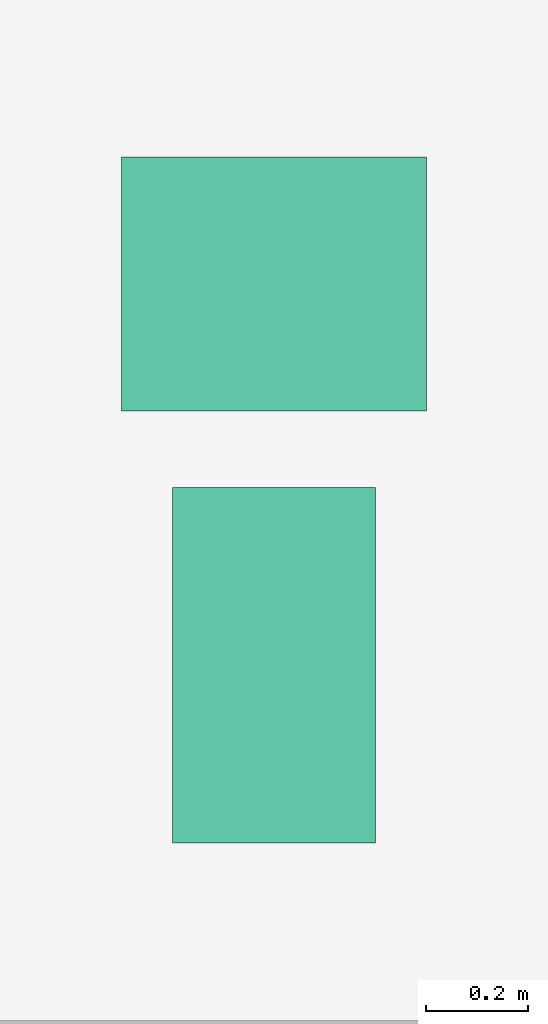
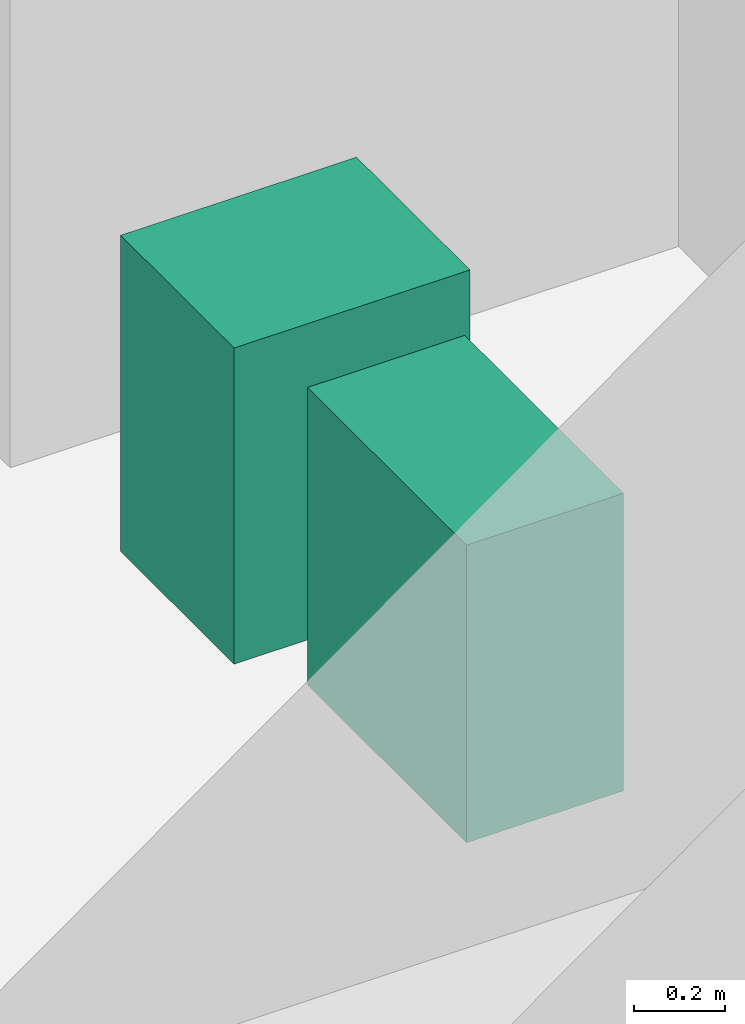
# One storey, part 19 of 19: 2 sanitary terminals.
"""IFC4 building model written with IfcOpenShell, lengths in metres."""

from ifc_helpers import new_model, si_unit, direction, frame, origin, origin_2d, place, context, subcontext, project, spatial, rectangle, extrude, element, save


model = new_model("IFC4")

# Units and contexts
model_context = context("Model", 3, precision=1e-05, world=origin(), true_north=direction((0.0, 1.0)))
body_context = subcontext(model_context, "Body", "Model", "MODEL_VIEW")
ifc_project = project(units=[si_unit("LENGTHUNIT", "METRE"), si_unit("AREAUNIT", "SQUARE_METRE"), si_unit("VOLUMEUNIT", "CUBIC_METRE"), si_unit("PLANEANGLEUNIT", "RADIAN"), si_unit("MASSUNIT", "GRAM", prefix="KILO")], contexts=[model_context])

# Site, building, storey
site_placement = place(None, origin())
site = spatial("IfcSite", under=ifc_project, at=site_placement, CompositionType="ELEMENT")
building_placement = place(site_placement, origin())
building = spatial("IfcBuilding", under=site, at=building_placement, Name="Loomwork Tower", CompositionType="ELEMENT")
storey_placement = place(building_placement, frame((0.0, 0.0, 89.199951171875)))
storey = spatial("IfcBuildingStorey", under=building, at=storey_placement, Name="L23", CompositionType="ELEMENT", Elevation=89.199951171875)

# Sanitary terminals
sanitary_terminal_1_placement = place(storey_placement, frame((16.199951171875, 12.10009765625, 0.0), z_axis=(0.0, 0.0, 1.0), x_axis=(1.0, 0.0, 0.0)))
element("IfcSanitaryTerminal", 1, at=sanitary_terminal_1_placement, inside=storey, Name="WC L23", PredefinedType="TOILETPAN", context=body_context, shape_type="SweptSolid", body=[
    extrude(rectangle(XDim=0.39990234375, YDim=0.699951171875, at=origin_2d()), origin(), (0.0, 0.0, 1.0), 0.800048828125),
])
sanitary_terminal_2_placement = place(storey_placement, frame((16.199951171875, 12.85009765625, 0.0), z_axis=(0.0, 0.0, 1.0), x_axis=(1.0, 0.0, 0.0)))
element("IfcSanitaryTerminal", 2, at=sanitary_terminal_2_placement, inside=storey, Name="Basin L23", PredefinedType="WASHHANDBASIN", context=body_context, shape_type="SweptSolid", body=[
    extrude(rectangle(XDim=0.60009765625, YDim=0.5, at=origin_2d()), origin(), (0.0, 0.0, 1.0), 0.85009765625),
])

save(model, "model.ifc")
